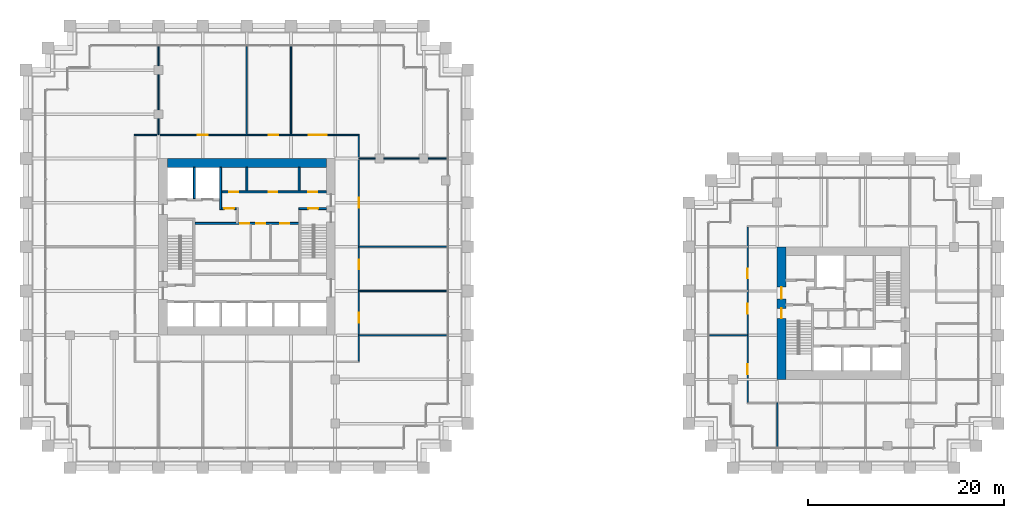
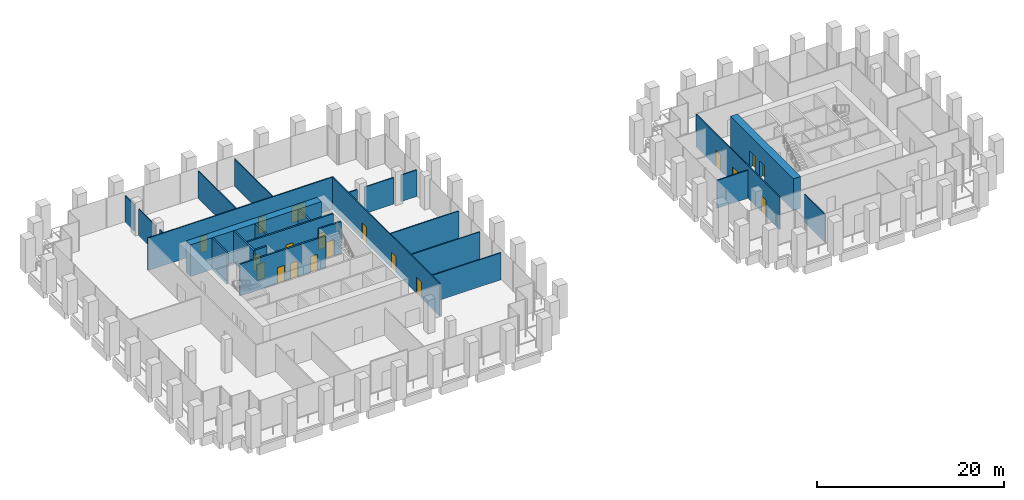
# One storey, part 31 of 36: 26 walls, 19 doors, 19 openings.
"""IFC4 building model written with IfcOpenShell, lengths in metres."""

from ifc_helpers import new_model, si_unit, direction, frame, frame_2d, origin, place, context, subcontext, project, spatial, rectangle, extrude, material, layer, layer_set, type_object, element, fill, save


model = new_model("IFC4")

# Units and contexts
model_context = context("Model", 3, precision=1e-05, world=origin(), true_north=direction((0.0, 1.0)))
body_context = subcontext(model_context, "Body", "Model", "MODEL_VIEW")
ifc_project = project(units=[si_unit("LENGTHUNIT", "METRE"), si_unit("AREAUNIT", "SQUARE_METRE"), si_unit("VOLUMEUNIT", "CUBIC_METRE"), si_unit("PLANEANGLEUNIT", "RADIAN"), si_unit("MASSUNIT", "GRAM", prefix="KILO")], contexts=[model_context])

# Site, building, storey
site_placement = place(None, origin())
site = spatial("IfcSite", under=ifc_project, at=site_placement, CompositionType="ELEMENT")
building_placement = place(site_placement, origin())
building = spatial("IfcBuilding", under=site, at=building_placement, Name="Altepetl Exchange Towers", CompositionType="ELEMENT")
storey_placement = place(building_placement, frame((0.0, 0.0, 43.0)))
storey = spatial("IfcBuildingStorey", under=building, at=storey_placement, Name="L09", CompositionType="ELEMENT", Elevation=43.0)

# Wall
ifc_material_1 = material(Name="Concrete C70/85", Category="concrete")
ifc_layer_1 = layer(ifc_material_1, 0.89990234375)
ifc_layer_set_1 = layer_set([ifc_layer_1], Name="Concrete C70/85")
wall_type_1 = type_object("IfcWallType", Name="Core wall 900 reinforced concrete", PredefinedType="SHEAR", material=ifc_layer_set_1)
wall_1_placement = place(storey_placement, frame((41.39990234375, 58.050048828125, 0.0)))
element("IfcWall", 1, at=wall_1_placement, inside=storey, type_object=wall_type_1, Name="wall:A:L09:K-coreN", PredefinedType="SHEAR", context=body_context, shape_type="SweptSolid", body=[
    extrude(rectangle(XDim=16.2001953125, YDim=0.89990234375, at=frame_2d((8.10009765625, 0.0))), origin(), (0.0, 0.0, 1.0), 4.14990234375),
])

# Wall, openings, doors
wall_2_placement = place(storey_placement, frame((103.949951171875, 36.0, 0.0), z_axis=(0.0, 0.0, 1.0), x_axis=(0.0, 1.0, 0.0)))
wall_2 = element("IfcWall", 2, at=wall_2_placement, inside=storey, type_object=wall_type_1, Name="wall:B:L09:K-coreW", PredefinedType="SHEAR", context=body_context, shape_type="SweptSolid", body=[
    extrude(rectangle(XDim=13.5, YDim=0.89990234375, at=frame_2d((6.75, 0.0))), origin(), (0.0, 0.0, 1.0), 4.14990234375),
])
opening_1_placement = place(wall_2_placement, frame((8.199951171875, 0.0, 0.0)))
opening_1 = element("IfcOpeningElement", 3, at=opening_1_placement, cuts=wall_2, Name="Opening L09.B60", PredefinedType="OPENING", context=body_context, shape_type="SweptSolid", body=[
    extrude(rectangle(XDim=1.199951171875, YDim=2.10009765625, at=frame_2d((0.60009765625, 1.050048828125))), frame((0.0, 0.4599609375, 0.0), z_axis=(0.0, -1.0, 0.0), x_axis=(1.0, 0.0, 0.0)), (0.0, 0.0, 1.0), 0.919921875),
])
opening_2_placement = place(wall_2_placement, frame((6.22509765625, 0.0, 0.0)))
opening_2 = element("IfcOpeningElement", 4, at=opening_2_placement, cuts=wall_2, Name="Opening L09.B63", PredefinedType="OPENING", context=body_context, shape_type="SweptSolid", body=[
    extrude(rectangle(XDim=1.0, YDim=2.10009765625, at=frame_2d((0.5, 1.050048828125))), frame((0.0, 0.4599609375, 0.0), z_axis=(0.0, -1.0, 0.0), x_axis=(1.0, 0.0, 0.0)), (0.0, 0.0, 1.0), 0.919921875),
])
ifc_material_2 = material(Name="Steel and timber fire door", Category="steel")
door_type_1 = type_object("IfcDoorType", Name="Fire door 1000 x 2100 stair and lobby", OperationType="SINGLE_SWING_LEFT", PredefinedType="DOOR", material=ifc_material_2)
door_1_placement = place(opening_2_placement, frame((1.0, 0.0, 0.0), x_axis=(-1.0, 0.0, 0.0)))
door_1 = element("IfcDoor", 5, at=door_1_placement, inside=storey, type_object=door_type_1, Name="door:B:L09:K-dS1x", OperationType="SINGLE_SWING_RIGHT", OverallHeight=2.10009765625, OverallWidth=1.0, PredefinedType="DOOR", context=body_context, shape_type="SweptSolid", body=[
    extrude(rectangle(XDim=1.0, YDim=2.10009765625, at=frame_2d((0.5, 1.050048828125))), frame((0.0, 0.02490234375, 0.0), z_axis=(0.0, -1.0, 0.0), x_axis=(1.0, 0.0, 0.0)), (0.0, 0.0, 1.0), 0.050048828125),
])
fill(opening_2, door_1)
door_type_2 = type_object("IfcDoorType", Name="Fire door 1200 x 2100 lobby entry", OperationType="SINGLE_SWING_LEFT", PredefinedType="DOOR", material=ifc_material_2)
door_2_placement = place(opening_1_placement, frame((1.199951171875, 0.0, 0.0), x_axis=(-1.0, 0.0, 0.0)))
door_2 = element("IfcDoor", 6, at=door_2_placement, inside=storey, type_object=door_type_2, Name="door:B:L09:K-dLNW", OperationType="SINGLE_SWING_RIGHT", OverallHeight=2.10009765625, OverallWidth=1.199951171875, PredefinedType="DOOR", context=body_context, shape_type="SweptSolid", body=[
    extrude(rectangle(XDim=1.199951171875, YDim=2.10009765625, at=frame_2d((0.60009765625, 1.050048828125))), frame((0.0, 0.02490234375, 0.0), z_axis=(0.0, -1.0, 0.0), x_axis=(1.0, 0.0, 0.0)), (0.0, 0.0, 1.0), 0.050048828125),
])
fill(opening_1, door_2)

# Wall, opening, door
ifc_material_3 = material(Name="Concrete blockwork", Category="masonry")
ifc_layer_2 = layer(ifc_material_3, 0.199951171875)
ifc_layer_set_2 = layer_set([ifc_layer_2], Name="Concrete blockwork")
wall_type_2 = type_object("IfcWallType", Name="Lobby wall 200 blockwork", PredefinedType="PARTITIONING", material=ifc_layer_set_2)
wall_3_placement = place(storey_placement, frame((46.933349609375, 53.39990234375, 0.0)))
wall_3 = element("IfcWall", 7, at=wall_3_placement, inside=storey, type_object=wall_type_2, Name="wall:A:L09:K-ffN", PredefinedType="PARTITIONING", context=body_context, shape_type="SweptSolid", body=[
    extrude(rectangle(XDim=1.466552734375, YDim=0.199951171875, at=frame_2d((0.7333984375, 0.0))), origin(), (0.0, 0.0, 1.0), 4.14990234375),
])
opening_3_placement = place(wall_3_placement, frame((0.2666015625, 0.0, 0.0)))
opening_3 = element("IfcOpeningElement", 8, at=opening_3_placement, cuts=wall_3, Name="Opening L09.A67", PredefinedType="OPENING", context=body_context, shape_type="SweptSolid", body=[
    extrude(rectangle(XDim=1.0, YDim=2.10009765625, at=frame_2d((0.5, 1.050048828125))), frame((0.0, 0.10986328125, 0.0), z_axis=(0.0, -1.0, 0.0), x_axis=(1.0, 0.0, 0.0)), (0.0, 0.0, 1.0), 0.219970703125),
])
door_3_placement = place(opening_3_placement, frame((1.0, 0.0, 0.0), x_axis=(-1.0, 0.0, 0.0)))
door_3 = element("IfcDoor", 9, at=door_3_placement, inside=storey, type_object=door_type_1, Name="door:A:L09:K-dffN", OperationType="SINGLE_SWING_RIGHT", OverallHeight=2.10009765625, OverallWidth=1.0, PredefinedType="DOOR", context=body_context, shape_type="SweptSolid", body=[
    extrude(rectangle(XDim=1.0, YDim=2.10009765625, at=frame_2d((0.5, 1.050048828125))), frame((0.0, 0.02490234375, 0.0), z_axis=(0.0, -1.0, 0.0), x_axis=(1.0, 0.0, 0.0)), (0.0, 0.0, 1.0), 0.050048828125),
])
fill(opening_3, door_3)

# Wall, openings, doors
wall_4_placement = place(storey_placement, frame((44.199951171875, 51.89990234375, 0.0)))
wall_4 = element("IfcWall", 10, at=wall_4_placement, inside=storey, type_object=wall_type_2, Name="wall:A:L09:K-zoneN", PredefinedType="PARTITIONING", context=body_context, shape_type="SweptSolid", body=[
    extrude(rectangle(XDim=10.60009765625, YDim=0.199951171875, at=frame_2d((5.300048828125, 0.0))), origin(), (0.0, 0.0, 1.0), 4.14990234375),
])
opening_4_placement = place(wall_4_placement, frame((4.625, 0.0, 0.0)))
opening_4 = element("IfcOpeningElement", 11, at=opening_4_placement, cuts=wall_4, Name="Opening L09.A73", PredefinedType="OPENING", context=body_context, shape_type="SweptSolid", body=[
    extrude(rectangle(XDim=0.89990234375, YDim=2.10009765625, at=frame_2d((0.449951171875, 1.050048828125))), frame((0.0, 0.10986328125, 0.0), z_axis=(0.0, -1.0, 0.0), x_axis=(1.0, 0.0, 0.0)), (0.0, 0.0, 1.0), 0.219970703125),
])
opening_5_placement = place(wall_4_placement, frame((6.25, 0.0, 0.0)))
opening_5 = element("IfcOpeningElement", 12, at=opening_5_placement, cuts=wall_4, Name="Opening L09.A74", PredefinedType="OPENING", context=body_context, shape_type="SweptSolid", body=[
    extrude(rectangle(XDim=0.89990234375, YDim=2.10009765625, at=frame_2d((0.449951171875, 1.050048828125))), frame((0.0, 0.10986328125, 0.0), z_axis=(0.0, -1.0, 0.0), x_axis=(1.0, 0.0, 0.0)), (0.0, 0.0, 1.0), 0.219970703125),
])
opening_6_placement = place(wall_4_placement, frame((8.699951171875, 0.0, 0.0)))
opening_6 = element("IfcOpeningElement", 13, at=opening_6_placement, cuts=wall_4, Name="Opening L09.A75", PredefinedType="OPENING", context=body_context, shape_type="SweptSolid", body=[
    extrude(rectangle(XDim=0.89990234375, YDim=2.10009765625, at=frame_2d((0.449951171875, 1.050048828125))), frame((0.0, 0.10986328125, 0.0), z_axis=(0.0, -1.0, 0.0), x_axis=(1.0, 0.0, 0.0)), (0.0, 0.0, 1.0), 0.219970703125),
])
door_type_3 = type_object("IfcDoorType", Name="Fire door 900 x 2100 service room", OperationType="SINGLE_SWING_LEFT", PredefinedType="DOOR", material=ifc_material_2)
door_4_placement = place(opening_4_placement, frame((0.89990234375, 0.0, 0.0), x_axis=(-1.0, 0.0, 0.0)))
door_4 = element("IfcDoor", 14, at=door_4_placement, inside=storey, type_object=door_type_3, Name="door:A:L09:K-dz2", OperationType="SINGLE_SWING_RIGHT", OverallHeight=2.10009765625, OverallWidth=0.89990234375, PredefinedType="DOOR", context=body_context, shape_type="SweptSolid", body=[
    extrude(rectangle(XDim=0.89990234375, YDim=2.10009765625, at=frame_2d((0.449951171875, 1.050048828125))), frame((0.0, 0.02490234375, 0.0), z_axis=(0.0, -1.0, 0.0), x_axis=(1.0, 0.0, 0.0)), (0.0, 0.0, 1.0), 0.050048828125),
])
fill(opening_4, door_4)
door_5_placement = place(opening_5_placement, frame((0.89990234375, 0.0, 0.0), x_axis=(-1.0, 0.0, 0.0)))
door_5 = element("IfcDoor", 15, at=door_5_placement, inside=storey, type_object=door_type_3, Name="door:A:L09:K-dz3", OperationType="SINGLE_SWING_LEFT", OverallHeight=2.10009765625, OverallWidth=0.89990234375, PredefinedType="DOOR", context=body_context, shape_type="SweptSolid", body=[
    extrude(rectangle(XDim=0.89990234375, YDim=2.10009765625, at=frame_2d((0.449951171875, 1.050048828125))), frame((0.0, 0.02490234375, 0.0), z_axis=(0.0, -1.0, 0.0), x_axis=(1.0, 0.0, 0.0)), (0.0, 0.0, 1.0), 0.050048828125),
])
fill(opening_5, door_5)
door_6_placement = place(opening_6_placement, frame((0.89990234375, 0.0, 0.0), x_axis=(-1.0, 0.0, 0.0)))
door_6 = element("IfcDoor", 16, at=door_6_placement, inside=storey, type_object=door_type_3, Name="door:A:L09:K-dz4", OperationType="SINGLE_SWING_LEFT", OverallHeight=2.10009765625, OverallWidth=0.89990234375, PredefinedType="DOOR", context=body_context, shape_type="SweptSolid", body=[
    extrude(rectangle(XDim=0.89990234375, YDim=2.10009765625, at=frame_2d((0.449951171875, 1.050048828125))), frame((0.0, 0.02490234375, 0.0), z_axis=(0.0, -1.0, 0.0), x_axis=(1.0, 0.0, 0.0)), (0.0, 0.0, 1.0), 0.050048828125),
])
fill(opening_6, door_6)

# Walls
ifc_material_4 = material(Name="Timber panels on aluminium track", Category="wood")
ifc_layer_3 = layer(ifc_material_4, 0.125)
ifc_layer_set_3 = layer_set([ifc_layer_3], Name="Timber panels on aluminium track")
wall_type_3 = type_object("IfcWallType", Name="Operable acoustic partition 125", PredefinedType="MOVABLE", material=ifc_layer_set_3)
wall_5_placement = place(storey_placement, frame((103.5, 29.10009765625, 0.0), z_axis=(0.0, 0.0, 1.0), x_axis=(0.0, 1.0, 0.0)))
element("IfcWall", 17, at=wall_5_placement, inside=storey, type_object=wall_type_3, Name="wall:B:L09:P11", PredefinedType="MOVABLE", context=body_context, shape_type="SweptSolid", body=[
    extrude(rectangle(XDim=4.5, YDim=0.125, at=frame_2d((2.25, 0.0))), origin(), (0.0, 0.0, 1.0), 3.65087890625),
])
ifc_material_5 = material(Name="Gypsum board on steel studs", Category="steel")
ifc_layer_4 = layer(ifc_material_5, 0.125)
ifc_layer_set_4 = layer_set([ifc_layer_4], Name="Gypsum board on steel studs")
wall_type_4 = type_object("IfcWallType", Name="Partition 125 gypsum board on steel studs", PredefinedType="PARTITIONING", material=ifc_layer_set_4)
for number, where, name in (
    (18, (60.89990234375, 40.5, 0.0), "wall:A:L09:P02"),
    (19, (60.89990234375, 45.0, 0.0), "wall:A:L09:P03"),
    (20, (60.89990234375, 49.5, 0.0), "wall:A:L09:P05"),
):
    element("IfcWall", number, at=place(storey_placement, frame(where)), inside=storey, type_object=wall_type_4, Name=name, PredefinedType="PARTITIONING", context=body_context, shape_type="SweptSolid", body=[
        extrude(rectangle(XDim=9.0, YDim=0.125, at=frame_2d((4.5, 0.0))), origin(), (0.0, 0.0, 1.0), 3.56591796875),
    ])
wall_6_placement = place(storey_placement, frame((60.89990234375, 58.5, 0.0)))
element("IfcWall", 21, at=wall_6_placement, inside=storey, type_object=wall_type_4, Name="wall:A:L09:P06", PredefinedType="PARTITIONING", context=body_context, shape_type="SweptSolid", body=[
    extrude(rectangle(XDim=1.650146484375, YDim=0.125, at=frame_2d((0.8251953125, 0.0))), origin(), (0.0, 0.0, 1.0), 3.47607421875),
])
wall_7_placement = place(storey_placement, frame((63.449951171875, 58.5, 0.0)))
element("IfcWall", 22, at=wall_7_placement, inside=storey, type_object=wall_type_4, Name="wall:A:L09:P07", PredefinedType="PARTITIONING", context=body_context, shape_type="SweptSolid", body=[
    extrude(rectangle(XDim=3.60009765625, YDim=0.125, at=frame_2d((1.800048828125, 0.0))), origin(), (0.0, 0.0, 1.0), 3.47607421875),
])
wall_8_placement = place(storey_placement, frame((67.949951171875, 58.5, 0.0)))
element("IfcWall", 23, at=wall_8_placement, inside=storey, type_object=wall_type_4, Name="wall:A:L09:P08", PredefinedType="PARTITIONING", context=body_context, shape_type="SweptSolid", body=[
    extrude(rectangle(XDim=1.949951171875, YDim=0.125, at=frame_2d((0.97509765625, 0.0))), origin(), (0.0, 0.0, 1.0), 3.47607421875),
])

# Wall, openings, doors
wall_9_placement = place(storey_placement, frame((38.03759765625, 60.89990234375, 0.0)))
wall_9 = element("IfcWall", 24, at=wall_9_placement, inside=storey, type_object=wall_type_4, Name="wall:A:L09:P09", PredefinedType="PARTITIONING", context=body_context, shape_type="SweptSolid", body=[
    extrude(rectangle(XDim=22.9248046875, YDim=0.125, at=frame_2d((11.46240234375, 0.0))), origin(), (0.0, 0.0, 1.0), 4.25),
])
opening_7_placement = place(wall_9_placement, frame((17.777587890625, 0.0, 0.0)))
opening_7 = element("IfcOpeningElement", 25, at=opening_7_placement, cuts=wall_9, Name="Opening L09.A08", PredefinedType="OPENING", context=body_context, shape_type="SweptSolid", body=[
    extrude(rectangle(XDim=1.800048828125, YDim=2.10009765625, at=frame_2d((0.89990234375, 1.050048828125))), frame((0.0, 0.072509765625, 0.0), z_axis=(0.0, -1.0, 0.0), x_axis=(1.0, 0.0, 0.0)), (0.0, 0.0, 1.0), 0.14501953125),
])
opening_8_placement = place(wall_9_placement, frame((13.66748046875, 0.0, 0.0)))
opening_8 = element("IfcOpeningElement", 26, at=opening_8_placement, cuts=wall_9, Name="Opening L09.A09", PredefinedType="OPENING", context=body_context, shape_type="SweptSolid", body=[
    extrude(rectangle(XDim=1.0, YDim=2.10009765625, at=frame_2d((0.5, 1.050048828125))), frame((0.0, 0.072509765625, 0.0), z_axis=(0.0, -1.0, 0.0), x_axis=(1.0, 0.0, 0.0)), (0.0, 0.0, 1.0), 0.14501953125),
])
opening_9_placement = place(wall_9_placement, frame((6.46240234375, 0.0, 0.0)))
opening_9 = element("IfcOpeningElement", 27, at=opening_9_placement, cuts=wall_9, Name="Opening L09.A10", PredefinedType="OPENING", context=body_context, shape_type="SweptSolid", body=[
    extrude(rectangle(XDim=1.0, YDim=2.10009765625, at=frame_2d((0.5, 1.050048828125))), frame((0.0, 0.072509765625, 0.0), z_axis=(0.0, -1.0, 0.0), x_axis=(1.0, 0.0, 0.0)), (0.0, 0.0, 1.0), 0.14501953125),
])
door_type_4 = type_object("IfcDoorType", Name="Fire door 1000 x 2100 single leaf", OperationType="SINGLE_SWING_LEFT", PredefinedType="DOOR", material=ifc_material_2)
door_7_placement = place(opening_8_placement, origin())
door_7 = element("IfcDoor", 28, at=door_7_placement, inside=storey, type_object=door_type_4, Name="door:A:L09:09", OperationType="SINGLE_SWING_RIGHT", OverallHeight=2.10009765625, OverallWidth=1.0, PredefinedType="DOOR", context=body_context, shape_type="SweptSolid", body=[
    extrude(rectangle(XDim=1.0, YDim=2.10009765625, at=frame_2d((0.5, 1.050048828125))), frame((0.0, 0.02490234375, 0.0), z_axis=(0.0, -1.0, 0.0), x_axis=(1.0, 0.0, 0.0)), (0.0, 0.0, 1.0), 0.050048828125),
])
fill(opening_8, door_7)
door_8_placement = place(opening_9_placement, origin())
door_8 = element("IfcDoor", 29, at=door_8_placement, inside=storey, type_object=door_type_4, Name="door:A:L09:10", OperationType="SINGLE_SWING_RIGHT", OverallHeight=2.10009765625, OverallWidth=1.0, PredefinedType="DOOR", context=body_context, shape_type="SweptSolid", body=[
    extrude(rectangle(XDim=1.0, YDim=2.10009765625, at=frame_2d((0.5, 1.050048828125))), frame((0.0, 0.02490234375, 0.0), z_axis=(0.0, -1.0, 0.0), x_axis=(1.0, 0.0, 0.0)), (0.0, 0.0, 1.0), 0.050048828125),
])
fill(opening_9, door_8)
door_type_5 = type_object("IfcDoorType", Name="Fire door 1800 x 2100 double leaf", OperationType="DOUBLE_DOOR_SINGLE_SWING", PredefinedType="DOOR", material=ifc_material_2)
door_9_placement = place(opening_7_placement, origin())
door_9 = element("IfcDoor", 30, at=door_9_placement, inside=storey, type_object=door_type_5, Name="door:A:L09:08", OperationType="DOUBLE_DOOR_SINGLE_SWING", OverallHeight=2.10009765625, OverallWidth=1.800048828125, PredefinedType="DOOR", context=body_context, shape_type="SweptSolid", body=[
    extrude(rectangle(XDim=1.800048828125, YDim=2.10009765625, at=frame_2d((0.89990234375, 1.050048828125))), frame((0.0, 0.02490234375, 0.0), z_axis=(0.0, -1.0, 0.0), x_axis=(1.0, 0.0, 0.0)), (0.0, 0.0, 1.0), 0.050048828125),
])
fill(opening_7, door_9)

# Walls
wall_10_placement = place(storey_placement, frame((40.5, 60.89990234375, 0.0), z_axis=(0.0, 0.0, 1.0), x_axis=(0.0, 1.0, 0.0)))
element("IfcWall", 31, at=wall_10_placement, inside=storey, type_object=wall_type_4, Name="wall:A:L09:P12", PredefinedType="PARTITIONING", context=body_context, shape_type="SweptSolid", body=[
    extrude(rectangle(XDim=1.650146484375, YDim=0.125, at=frame_2d((0.8251953125, 0.0))), origin(), (0.0, 0.0, 1.0), 3.47607421875),
])
wall_11_placement = place(storey_placement, frame((40.5, 63.449951171875, 0.0), z_axis=(0.0, 0.0, 1.0), x_axis=(0.0, 1.0, 0.0)))
element("IfcWall", 32, at=wall_11_placement, inside=storey, type_object=wall_type_4, Name="wall:A:L09:P13", PredefinedType="PARTITIONING", context=body_context, shape_type="SweptSolid", body=[
    extrude(rectangle(XDim=3.60009765625, YDim=0.125, at=frame_2d((1.800048828125, 0.0))), origin(), (0.0, 0.0, 1.0), 3.47607421875),
])
wall_12_placement = place(storey_placement, frame((40.5, 67.949951171875, 0.0), z_axis=(0.0, 0.0, 1.0), x_axis=(0.0, 1.0, 0.0)))
element("IfcWall", 33, at=wall_12_placement, inside=storey, type_object=wall_type_4, Name="wall:A:L09:P14", PredefinedType="PARTITIONING", context=body_context, shape_type="SweptSolid", body=[
    extrude(rectangle(XDim=1.949951171875, YDim=0.125, at=frame_2d((0.97509765625, 0.0))), origin(), (0.0, 0.0, 1.0), 3.47607421875),
])
for number, where, z_axis, x_axis, name in (
    (34, (49.5, 60.89990234375, 0.0), (0.0, 0.0, 1.0), (0.0, 1.0, 0.0), "wall:A:L09:P16"),
    (35, (54.0, 60.89990234375, 0.0), (0.0, 0.0, 1.0), (0.0, 1.0, 0.0), "wall:A:L09:P18"),
):
    element("IfcWall", number, at=place(storey_placement, frame(where, z_axis=z_axis, x_axis=x_axis)), inside=storey, type_object=wall_type_4, Name=name, PredefinedType="PARTITIONING", context=body_context, shape_type="SweptSolid", body=[
        extrude(rectangle(XDim=9.0, YDim=0.125, at=frame_2d((4.5, 0.0))), origin(), (0.0, 0.0, 1.0), 3.56591796875),
    ])

# Wall, openings, doors
wall_13_placement = place(storey_placement, frame((60.89990234375, 37.862548828125, 0.0), z_axis=(0.0, 0.0, 1.0), x_axis=(0.0, 1.0, 0.0)))
wall_13 = element("IfcWall", 36, at=wall_13_placement, inside=storey, type_object=wall_type_4, Name="wall:A:L09:P19", PredefinedType="PARTITIONING", context=body_context, shape_type="SweptSolid", body=[
    extrude(rectangle(XDim=22.974853515625, YDim=0.125, at=frame_2d((11.4873046875, 0.0))), origin(), (0.0, 0.0, 1.0), 4.25),
])
opening_10_placement = place(wall_13_placement, frame((3.9326171875, 0.0, 0.0)))
opening_10 = element("IfcOpeningElement", 37, at=opening_10_placement, cuts=wall_13, Name="Opening L09.A05", PredefinedType="OPENING", context=body_context, shape_type="SweptSolid", body=[
    extrude(rectangle(XDim=1.0, YDim=2.10009765625, at=frame_2d((0.5, 1.050048828125))), frame((0.0, 0.072509765625, 0.0), z_axis=(0.0, -1.0, 0.0), x_axis=(1.0, 0.0, 0.0)), (0.0, 0.0, 1.0), 0.14501953125),
])
opening_11_placement = place(wall_13_placement, frame((9.342529296875, 0.0, 0.0)))
opening_11 = element("IfcOpeningElement", 38, at=opening_11_placement, cuts=wall_13, Name="Opening L09.A06", PredefinedType="OPENING", context=body_context, shape_type="SweptSolid", body=[
    extrude(rectangle(XDim=1.0, YDim=2.10009765625, at=frame_2d((0.5, 1.050048828125))), frame((0.0, 0.072509765625, 0.0), z_axis=(0.0, -1.0, 0.0), x_axis=(1.0, 0.0, 0.0)), (0.0, 0.0, 1.0), 0.14501953125),
])
opening_12_placement = place(wall_13_placement, frame((15.637451171875, 0.0, 0.0)))
opening_12 = element("IfcOpeningElement", 39, at=opening_12_placement, cuts=wall_13, Name="Opening L09.A07", PredefinedType="OPENING", context=body_context, shape_type="SweptSolid", body=[
    extrude(rectangle(XDim=1.0, YDim=2.10009765625, at=frame_2d((0.5, 1.050048828125))), frame((0.0, 0.072509765625, 0.0), z_axis=(0.0, -1.0, 0.0), x_axis=(1.0, 0.0, 0.0)), (0.0, 0.0, 1.0), 0.14501953125),
])
door_10_placement = place(opening_10_placement, frame((1.0, 0.0, 0.0), x_axis=(-1.0, 0.0, 0.0)))
door_10 = element("IfcDoor", 40, at=door_10_placement, inside=storey, type_object=door_type_4, Name="door:A:L09:05", OperationType="SINGLE_SWING_LEFT", OverallHeight=2.10009765625, OverallWidth=1.0, PredefinedType="DOOR", context=body_context, shape_type="SweptSolid", body=[
    extrude(rectangle(XDim=1.0, YDim=2.10009765625, at=frame_2d((0.5, 1.050048828125))), frame((0.0, 0.02490234375, 0.0), z_axis=(0.0, -1.0, 0.0), x_axis=(1.0, 0.0, 0.0)), (0.0, 0.0, 1.0), 0.050048828125),
])
fill(opening_10, door_10)
door_11_placement = place(opening_11_placement, frame((1.0, 0.0, 0.0), x_axis=(-1.0, 0.0, 0.0)))
door_11 = element("IfcDoor", 41, at=door_11_placement, inside=storey, type_object=door_type_4, Name="door:A:L09:06", OperationType="SINGLE_SWING_RIGHT", OverallHeight=2.10009765625, OverallWidth=1.0, PredefinedType="DOOR", context=body_context, shape_type="SweptSolid", body=[
    extrude(rectangle(XDim=1.0, YDim=2.10009765625, at=frame_2d((0.5, 1.050048828125))), frame((0.0, 0.02490234375, 0.0), z_axis=(0.0, -1.0, 0.0), x_axis=(1.0, 0.0, 0.0)), (0.0, 0.0, 1.0), 0.050048828125),
])
fill(opening_11, door_11)
door_12_placement = place(opening_12_placement, frame((1.0, 0.0, 0.0), x_axis=(-1.0, 0.0, 0.0)))
door_12 = element("IfcDoor", 42, at=door_12_placement, inside=storey, type_object=door_type_4, Name="door:A:L09:07", OperationType="SINGLE_SWING_RIGHT", OverallHeight=2.10009765625, OverallWidth=1.0, PredefinedType="DOOR", context=body_context, shape_type="SweptSolid", body=[
    extrude(rectangle(XDim=1.0, YDim=2.10009765625, at=frame_2d((0.5, 1.050048828125))), frame((0.0, 0.02490234375, 0.0), z_axis=(0.0, -1.0, 0.0), x_axis=(1.0, 0.0, 0.0)), (0.0, 0.0, 1.0), 0.050048828125),
])
fill(opening_12, door_12)

# Wall
wall_14_placement = place(storey_placement, frame((96.60009765625, 40.5, 0.0)))
element("IfcWall", 43, at=wall_14_placement, inside=storey, type_object=wall_type_4, Name="wall:B:L09:P03", PredefinedType="PARTITIONING", context=body_context, shape_type="SweptSolid", body=[
    extrude(rectangle(XDim=3.89990234375, YDim=0.125, at=frame_2d((1.949951171875, 0.0))), origin(), (0.0, 0.0, 1.0), 3.65087890625),
])

# Wall, openings, doors
wall_15_placement = place(storey_placement, frame((100.5, 33.66259765625, 0.0), z_axis=(0.0, 0.0, 1.0), x_axis=(0.0, 1.0, 0.0)))
wall_15 = element("IfcWall", 44, at=wall_15_placement, inside=storey, type_object=wall_type_4, Name="wall:B:L09:P10", PredefinedType="PARTITIONING", context=body_context, shape_type="SweptSolid", body=[
    extrude(rectangle(XDim=17.875, YDim=0.125, at=frame_2d((8.9375, 0.0))), origin(), (0.0, 0.0, 1.0), 4.25),
])
opening_13_placement = place(wall_15_placement, frame((2.887451171875, 0.0, 0.0)))
opening_13 = element("IfcOpeningElement", 45, at=opening_13_placement, cuts=wall_15, Name="Opening L09.B01", PredefinedType="OPENING", context=body_context, shape_type="SweptSolid", body=[
    extrude(rectangle(XDim=1.0, YDim=2.10009765625, at=frame_2d((0.5, 1.050048828125))), frame((0.0, 0.072509765625, 0.0), z_axis=(0.0, -1.0, 0.0), x_axis=(1.0, 0.0, 0.0)), (0.0, 0.0, 1.0), 0.14501953125),
])
opening_14_placement = place(wall_15_placement, frame((12.632568359375, 0.0, 0.0)))
opening_14 = element("IfcOpeningElement", 46, at=opening_14_placement, cuts=wall_15, Name="Opening L09.B08", PredefinedType="OPENING", context=body_context, shape_type="SweptSolid", body=[
    extrude(rectangle(XDim=1.0, YDim=2.10009765625, at=frame_2d((0.5, 1.050048828125))), frame((0.0, 0.072509765625, 0.0), z_axis=(0.0, -1.0, 0.0), x_axis=(1.0, 0.0, 0.0)), (0.0, 0.0, 1.0), 0.14501953125),
])
opening_15_placement = place(wall_15_placement, frame((9.04248046875, 0.0, 0.0)))
opening_15 = element("IfcOpeningElement", 47, at=opening_15_placement, cuts=wall_15, Name="Opening L09.B09", PredefinedType="OPENING", context=body_context, shape_type="SweptSolid", body=[
    extrude(rectangle(XDim=1.0, YDim=2.10009765625, at=frame_2d((0.5, 1.050048828125))), frame((0.0, 0.072509765625, 0.0), z_axis=(0.0, -1.0, 0.0), x_axis=(1.0, 0.0, 0.0)), (0.0, 0.0, 1.0), 0.14501953125),
])
door_13_placement = place(opening_13_placement, origin())
door_13 = element("IfcDoor", 48, at=door_13_placement, inside=storey, type_object=door_type_4, Name="door:B:L09:01", OperationType="SINGLE_SWING_RIGHT", OverallHeight=2.10009765625, OverallWidth=1.0, PredefinedType="DOOR", context=body_context, shape_type="SweptSolid", body=[
    extrude(rectangle(XDim=1.0, YDim=2.10009765625, at=frame_2d((0.5, 1.050048828125))), frame((0.0, 0.02490234375, 0.0), z_axis=(0.0, -1.0, 0.0), x_axis=(1.0, 0.0, 0.0)), (0.0, 0.0, 1.0), 0.050048828125),
])
fill(opening_13, door_13)
door_14_placement = place(opening_14_placement, origin())
door_14 = element("IfcDoor", 49, at=door_14_placement, inside=storey, type_object=door_type_4, Name="door:B:L09:08", OperationType="SINGLE_SWING_LEFT", OverallHeight=2.10009765625, OverallWidth=1.0, PredefinedType="DOOR", context=body_context, shape_type="SweptSolid", body=[
    extrude(rectangle(XDim=1.0, YDim=2.10009765625, at=frame_2d((0.5, 1.050048828125))), frame((0.0, 0.02490234375, 0.0), z_axis=(0.0, -1.0, 0.0), x_axis=(1.0, 0.0, 0.0)), (0.0, 0.0, 1.0), 0.050048828125),
])
fill(opening_14, door_14)
door_15_placement = place(opening_15_placement, origin())
door_15 = element("IfcDoor", 50, at=door_15_placement, inside=storey, type_object=door_type_4, Name="door:B:L09:09", OperationType="SINGLE_SWING_RIGHT", OverallHeight=2.10009765625, OverallWidth=1.0, PredefinedType="DOOR", context=body_context, shape_type="SweptSolid", body=[
    extrude(rectangle(XDim=1.0, YDim=2.10009765625, at=frame_2d((0.5, 1.050048828125))), frame((0.0, 0.02490234375, 0.0), z_axis=(0.0, -1.0, 0.0), x_axis=(1.0, 0.0, 0.0)), (0.0, 0.0, 1.0), 0.050048828125),
])
fill(opening_15, door_15)

# Walls
ifc_material_6 = material(Name="Concrete C40/50", Category="concrete")
ifc_layer_5 = layer(ifc_material_6, 0.199951171875)
ifc_layer_set_5 = layer_set([ifc_layer_5], Name="Concrete C40/50")
wall_type_5 = type_object("IfcWallType", Name="Shaft wall 200 reinforced concrete", PredefinedType="SHEAR", material=ifc_layer_set_5)
wall_16_placement = place(storey_placement, frame((44.166748046875, 57.60009765625, 0.0), z_axis=(0.0, 0.0, 1.0), x_axis=(0.0, -1.0, 0.0)))
element("IfcWall", 51, at=wall_16_placement, inside=storey, type_object=wall_type_5, Name="wall:A:L09:K-divN1", PredefinedType="SHEAR", context=body_context, shape_type="SweptSolid", body=[
    extrude(rectangle(XDim=3.2001953125, YDim=0.199951171875, at=frame_2d((1.60009765625, 0.0))), origin(), (0.0, 0.0, 1.0), 4.14990234375),
])
wall_17_placement = place(storey_placement, frame((46.833251953125, 57.60009765625, 0.0), z_axis=(0.0, 0.0, 1.0), x_axis=(0.0, -1.0, 0.0)))
element("IfcWall", 52, at=wall_17_placement, inside=storey, type_object=wall_type_5, Name="wall:A:L09:K-divN2", PredefinedType="SHEAR", context=body_context, shape_type="SweptSolid", body=[
    extrude(rectangle(XDim=4.300048828125, YDim=0.199951171875, at=frame_2d((2.14990234375, 0.0))), origin(), (0.0, 0.0, 1.0), 4.14990234375),
])
for number, where, z_axis, x_axis, name in (
    (53, (49.5, 57.60009765625, 0.0), (0.0, 0.0, 1.0), (0.0, -1.0, 0.0), "wall:A:L09:K-divN3"),
    (54, (54.833251953125, 57.60009765625, 0.0), (0.0, 0.0, 1.0), (0.0, -1.0, 0.0), "wall:A:L09:K-divN5"),
):
    element("IfcWall", number, at=place(storey_placement, frame(where, z_axis=z_axis, x_axis=x_axis)), inside=storey, type_object=wall_type_5, Name=name, PredefinedType="SHEAR", context=body_context, shape_type="SweptSolid", body=[
        extrude(rectangle(XDim=2.400146484375, YDim=0.199951171875, at=frame_2d((1.2001953125, 0.0))), origin(), (0.0, 0.0, 1.0), 4.14990234375),
    ])

# Wall, openings, doors
wall_18_placement = place(storey_placement, frame((46.933349609375, 55.10009765625, 0.0)))
wall_18 = element("IfcWall", 55, at=wall_18_placement, inside=storey, type_object=wall_type_5, Name="wall:A:L09:K-frontNb", PredefinedType="SHEAR", context=body_context, shape_type="SweptSolid", body=[
    extrude(rectangle(XDim=10.666748046875, YDim=0.199951171875, at=frame_2d((5.33349609375, 0.0))), origin(), (0.0, 0.0, 1.0), 4.14990234375),
])
opening_16_placement = place(wall_18_placement, frame((8.83349609375, 0.0, 0.0)))
opening_16 = element("IfcOpeningElement", 56, at=opening_16_placement, cuts=wall_18, Name="Opening L09.A69", PredefinedType="OPENING", context=body_context, shape_type="SweptSolid", body=[
    extrude(rectangle(XDim=0.89990234375, YDim=2.10009765625, at=frame_2d((0.449951171875, 1.050048828125))), frame((0.0, 0.10986328125, 0.0), z_axis=(0.0, -1.0, 0.0), x_axis=(1.0, 0.0, 0.0)), (0.0, 0.0, 1.0), 0.219970703125),
])
opening_17_placement = place(wall_18_placement, frame((0.783447265625, 0.0, 0.0)))
opening_17 = element("IfcOpeningElement", 57, at=opening_17_placement, cuts=wall_18, Name="Opening L09.A70", PredefinedType="OPENING", context=body_context, shape_type="SweptSolid", body=[
    extrude(rectangle(XDim=0.89990234375, YDim=2.10009765625, at=frame_2d((0.449951171875, 1.050048828125))), frame((0.0, 0.10986328125, 0.0), z_axis=(0.0, -1.0, 0.0), x_axis=(1.0, 0.0, 0.0)), (0.0, 0.0, 1.0), 0.219970703125),
])
opening_18_placement = place(wall_18_placement, frame((4.783447265625, 0.0, 0.0)))
opening_18 = element("IfcOpeningElement", 58, at=opening_18_placement, cuts=wall_18, Name="Opening L09.A71", PredefinedType="OPENING", context=body_context, shape_type="SweptSolid", body=[
    extrude(rectangle(XDim=0.89990234375, YDim=2.10009765625, at=frame_2d((0.449951171875, 1.050048828125))), frame((0.0, 0.10986328125, 0.0), z_axis=(0.0, -1.0, 0.0), x_axis=(1.0, 0.0, 0.0)), (0.0, 0.0, 1.0), 0.219970703125),
])
door_16_placement = place(opening_16_placement, origin())
door_16 = element("IfcDoor", 59, at=door_16_placement, inside=storey, type_object=door_type_3, Name="door:A:L09:K-driser", OperationType="SINGLE_SWING_RIGHT", OverallHeight=2.10009765625, OverallWidth=0.89990234375, PredefinedType="DOOR", context=body_context, shape_type="SweptSolid", body=[
    extrude(rectangle(XDim=0.89990234375, YDim=2.10009765625, at=frame_2d((0.449951171875, 1.050048828125))), frame((0.0, 0.02490234375, 0.0), z_axis=(0.0, -1.0, 0.0), x_axis=(1.0, 0.0, 0.0)), (0.0, 0.0, 1.0), 0.050048828125),
])
fill(opening_16, door_16)
door_17_placement = place(opening_17_placement, origin())
door_17 = element("IfcDoor", 60, at=door_17_placement, inside=storey, type_object=door_type_3, Name="door:A:L09:K-dslotN2", OperationType="SINGLE_SWING_RIGHT", OverallHeight=2.10009765625, OverallWidth=0.89990234375, PredefinedType="DOOR", context=body_context, shape_type="SweptSolid", body=[
    extrude(rectangle(XDim=0.89990234375, YDim=2.10009765625, at=frame_2d((0.449951171875, 1.050048828125))), frame((0.0, 0.02490234375, 0.0), z_axis=(0.0, -1.0, 0.0), x_axis=(1.0, 0.0, 0.0)), (0.0, 0.0, 1.0), 0.050048828125),
])
fill(opening_17, door_17)
door_18_placement = place(opening_18_placement, origin())
door_18 = element("IfcDoor", 61, at=door_18_placement, inside=storey, type_object=door_type_3, Name="door:A:L09:K-dslotN3", OperationType="SINGLE_SWING_RIGHT", OverallHeight=2.10009765625, OverallWidth=0.89990234375, PredefinedType="DOOR", context=body_context, shape_type="SweptSolid", body=[
    extrude(rectangle(XDim=0.89990234375, YDim=2.10009765625, at=frame_2d((0.449951171875, 1.050048828125))), frame((0.0, 0.02490234375, 0.0), z_axis=(0.0, -1.0, 0.0), x_axis=(1.0, 0.0, 0.0)), (0.0, 0.0, 1.0), 0.050048828125),
])
fill(opening_18, door_18)

# Wall, opening, door
ifc_layer_6 = layer(ifc_material_6, 0.199951171875)
ifc_layer_set_6 = layer_set([ifc_layer_6], Name="Concrete C40/50")
wall_type_6 = type_object("IfcWallType", Name="Stair wall 200 reinforced concrete", PredefinedType="SHEAR", material=ifc_layer_set_6)
wall_19_placement = place(storey_placement, frame((54.800048828125, 53.39990234375, 0.0)))
wall_19 = element("IfcWall", 62, at=wall_19_placement, inside=storey, type_object=wall_type_6, Name="wall:A:L09:K-stS2N", PredefinedType="SHEAR", context=body_context, shape_type="SweptSolid", body=[
    extrude(rectangle(XDim=2.800048828125, YDim=0.199951171875, at=frame_2d((1.39990234375, 0.0))), origin(), (0.0, 0.0, 1.0), 4.14990234375),
])
opening_19_placement = place(wall_19_placement, frame((0.949951171875, 0.0, 0.0)))
opening_19 = element("IfcOpeningElement", 63, at=opening_19_placement, cuts=wall_19, Name="Opening L09.A65", PredefinedType="OPENING", context=body_context, shape_type="SweptSolid", body=[
    extrude(rectangle(XDim=1.0, YDim=2.10009765625, at=frame_2d((0.5, 1.050048828125))), frame((0.0, 0.10986328125, 0.0), z_axis=(0.0, -1.0, 0.0), x_axis=(1.0, 0.0, 0.0)), (0.0, 0.0, 1.0), 0.219970703125),
])
door_19_placement = place(opening_19_placement, frame((1.0, 0.0, 0.0), x_axis=(-1.0, 0.0, 0.0)))
door_19 = element("IfcDoor", 64, at=door_19_placement, inside=storey, type_object=door_type_1, Name="door:A:L09:K-dS2in", OperationType="SINGLE_SWING_LEFT", OverallHeight=2.10009765625, OverallWidth=1.0, PredefinedType="DOOR", context=body_context, shape_type="SweptSolid", body=[
    extrude(rectangle(XDim=1.0, YDim=2.10009765625, at=frame_2d((0.5, 1.050048828125))), frame((0.0, 0.02490234375, 0.0), z_axis=(0.0, -1.0, 0.0), x_axis=(1.0, 0.0, 0.0)), (0.0, 0.0, 1.0), 0.050048828125),
])
fill(opening_19, door_19)

save(model, "model.ifc")
